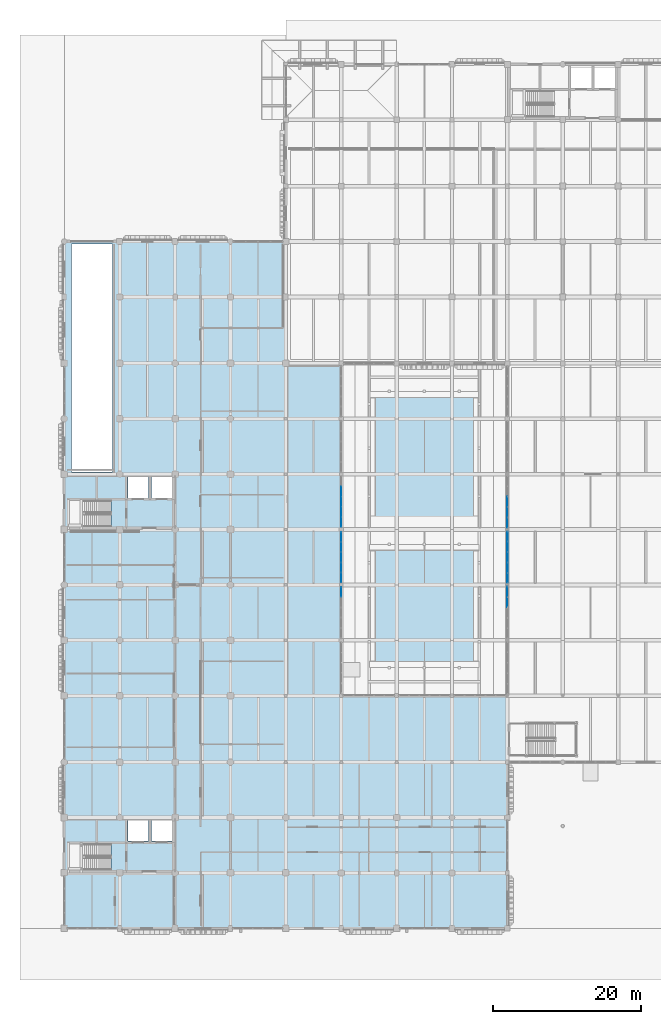
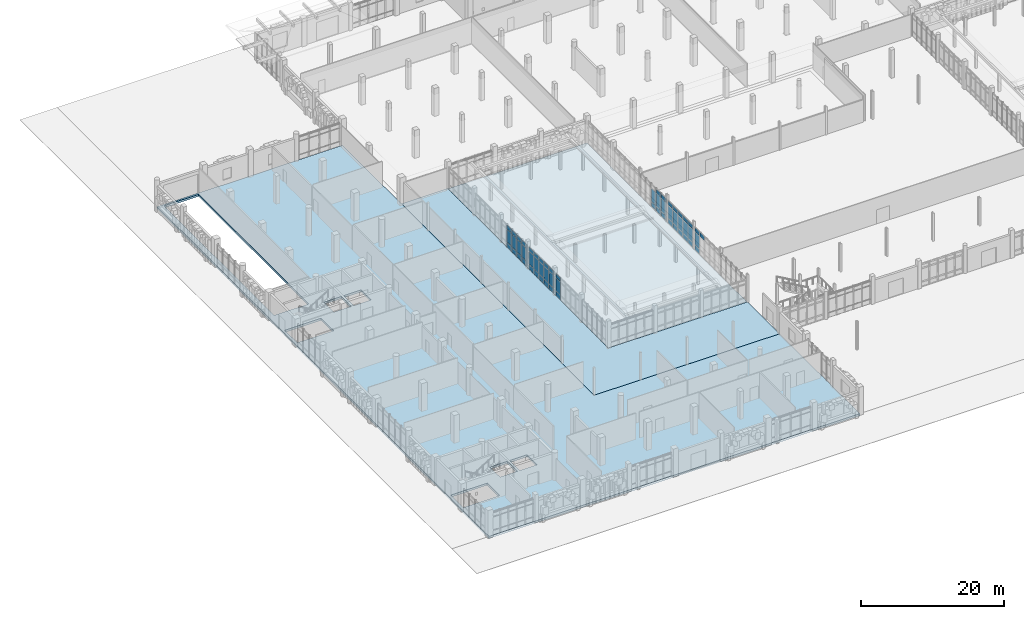
# One storey, part 73 of 125: 57 plates, 3 slabs, 6 elements without a shape of their own.
"""IFC4 building model written with IfcOpenShell, lengths in metres."""

from ifc_helpers import new_model, si_unit, direction, frame, origin, origin_2d, place, context, subcontext, project, spatial, polyline, rectangle, outline, extrude, material, layer, layer_set, type_object, element, aggregate, save


model = new_model("IFC4")

# Units and contexts
model_context = context("Model", 3, precision=1e-05, world=origin(), true_north=direction((0.0, 1.0)))
body_context = subcontext(model_context, "Body", "Model", "MODEL_VIEW")
ifc_project = project(units=[si_unit("LENGTHUNIT", "METRE"), si_unit("AREAUNIT", "SQUARE_METRE"), si_unit("VOLUMEUNIT", "CUBIC_METRE"), si_unit("PLANEANGLEUNIT", "RADIAN"), si_unit("MASSUNIT", "GRAM", prefix="KILO")], contexts=[model_context])

# Site, building, storey
site_placement = place(None, origin())
site = spatial("IfcSite", under=ifc_project, at=site_placement, CompositionType="ELEMENT")
building_placement = place(site_placement, origin())
building = spatial("IfcBuilding", under=site, at=building_placement, Name="Dalvernix Boulevard General Hospital", CompositionType="ELEMENT")
storey_placement = place(building_placement, origin())
storey = spatial("IfcBuildingStorey", under=building, at=storey_placement, Name="L00", CompositionType="ELEMENT", Elevation=0.0)

# Curtain wall, plates
ifc_material_1 = material(Name="Thermally broken aluminium and solar-control glass curtain wall", Category="aluminium")
ifc_layer_1 = layer(ifc_material_1, 0.159912109375)
ifc_layer_set_1 = layer_set([ifc_layer_1], Name="Thermally broken aluminium and solar-control glass curtain wall (CW-CW-A-70x39)")
curtain_wall_type_1 = type_object("IfcCurtainWallType", Name="CW-CW-A-70x39", PredefinedType="USERDEFINED", material=ifc_layer_set_1)
curtain_wall_1_placement = place(storey_placement, origin())
curtain_wall_1 = element("IfcCurtainWall", 1, at=curtain_wall_1_placement, inside=storey, type_object=curtain_wall_type_1, Name="L00 curtain wall CW-A-70x39 5-7", ObjectType="GLAZED FACADE", PredefinedType="USERDEFINED")
ifc_material_2 = material(Name="Double-glazed solar-control low-emissivity glass", Category="glass")
ifc_layer_2 = layer(ifc_material_2, 0.02392578125)
ifc_layer_set_2 = layer_set([ifc_layer_2], Name="Double-glazed solar-control low-emissivity glass (PLT-CW-P1)")
plate_type_1 = type_object("IfcPlateType", Name="PLT-CW-P1", PredefinedType="CURTAIN_PANEL", material=ifc_layer_set_2)
plate_1_placement = place(storey_placement, frame((37.5, 59.153564453125, 0.06005859375), z_axis=(0.0, 0.0, 1.0), x_axis=(0.0, -1.0, 0.0)))
plate_1 = element("IfcPlate", 2, at=plate_1_placement, type_object=plate_type_1, Name="CW-A-70x39 panel 2.1", PredefinedType="CURTAIN_PANEL", context=body_context, shape_type="SweptSolid", body=[
    extrude(rectangle(XDim=1.3310546875, YDim=0.02392578125, at=origin_2d()), origin(), (0.0, 0.0, 1.0), 0.81005859375),
])
plate_2_placement = place(storey_placement, frame((37.5, 59.153564453125, 0.929931640625), z_axis=(0.0, 0.0, 1.0), x_axis=(0.0, -1.0, 0.0)))
plate_2 = element("IfcPlate", 3, at=plate_2_placement, type_object=plate_type_1, Name="CW-A-70x39 panel 2.2", PredefinedType="CURTAIN_PANEL", context=body_context, shape_type="SweptSolid", body=[
    extrude(rectangle(XDim=1.3310546875, YDim=0.02392578125, at=origin_2d()), origin(), (0.0, 0.0, 1.0), 2.18994140625),
])
plate_3_placement = place(storey_placement, frame((37.5, 59.153564453125, 3.18017578125), z_axis=(0.0, 0.0, 1.0), x_axis=(0.0, -1.0, 0.0)))
plate_3 = element("IfcPlate", 4, at=plate_3_placement, type_object=plate_type_1, Name="CW-A-70x39 panel 2.3", PredefinedType="CURTAIN_PANEL", context=body_context, shape_type="SweptSolid", body=[
    extrude(rectangle(XDim=1.3310546875, YDim=0.02392578125, at=origin_2d()), origin(), (0.0, 0.0, 1.0), 0.659912109375),
])
plate_4_placement = place(storey_placement, frame((37.5, 57.762451171875, 0.06005859375), z_axis=(0.0, 0.0, 1.0), x_axis=(0.0, -1.0, 0.0)))
plate_4 = element("IfcPlate", 5, at=plate_4_placement, type_object=plate_type_1, Name="CW-A-70x39 panel 3.1", PredefinedType="CURTAIN_PANEL", context=body_context, shape_type="SweptSolid", body=[
    extrude(rectangle(XDim=1.3310546875, YDim=0.02392578125, at=origin_2d()), origin(), (0.0, 0.0, 1.0), 0.81005859375),
])
plate_5_placement = place(storey_placement, frame((37.5, 57.762451171875, 0.929931640625), z_axis=(0.0, 0.0, 1.0), x_axis=(0.0, -1.0, 0.0)))
plate_5 = element("IfcPlate", 6, at=plate_5_placement, type_object=plate_type_1, Name="CW-A-70x39 panel 3.2", PredefinedType="CURTAIN_PANEL", context=body_context, shape_type="SweptSolid", body=[
    extrude(rectangle(XDim=1.3310546875, YDim=0.02392578125, at=origin_2d()), origin(), (0.0, 0.0, 1.0), 2.18994140625),
])
plate_6_placement = place(storey_placement, frame((37.5, 57.762451171875, 3.18017578125), z_axis=(0.0, 0.0, 1.0), x_axis=(0.0, -1.0, 0.0)))
plate_6 = element("IfcPlate", 7, at=plate_6_placement, type_object=plate_type_1, Name="CW-A-70x39 panel 3.3", PredefinedType="CURTAIN_PANEL", context=body_context, shape_type="SweptSolid", body=[
    extrude(rectangle(XDim=1.3310546875, YDim=0.02392578125, at=origin_2d()), origin(), (0.0, 0.0, 1.0), 0.659912109375),
])
plate_7_placement = place(storey_placement, frame((37.5, 56.37158203125, 0.06005859375), z_axis=(0.0, 0.0, 1.0), x_axis=(0.0, -1.0, 0.0)))
plate_7 = element("IfcPlate", 8, at=plate_7_placement, type_object=plate_type_1, Name="CW-A-70x39 panel 4.1", PredefinedType="CURTAIN_PANEL", context=body_context, shape_type="SweptSolid", body=[
    extrude(rectangle(XDim=1.3310546875, YDim=0.02392578125, at=origin_2d()), origin(), (0.0, 0.0, 1.0), 0.81005859375),
])
plate_8_placement = place(storey_placement, frame((37.5, 56.37158203125, 0.929931640625), z_axis=(0.0, 0.0, 1.0), x_axis=(0.0, -1.0, 0.0)))
plate_8 = element("IfcPlate", 9, at=plate_8_placement, type_object=plate_type_1, Name="CW-A-70x39 panel 4.2", PredefinedType="CURTAIN_PANEL", context=body_context, shape_type="SweptSolid", body=[
    extrude(rectangle(XDim=1.3310546875, YDim=0.02392578125, at=origin_2d()), origin(), (0.0, 0.0, 1.0), 2.18994140625),
])
plate_9_placement = place(storey_placement, frame((37.5, 56.37158203125, 3.18017578125), z_axis=(0.0, 0.0, 1.0), x_axis=(0.0, -1.0, 0.0)))
plate_9 = element("IfcPlate", 10, at=plate_9_placement, type_object=plate_type_1, Name="CW-A-70x39 panel 4.3", PredefinedType="CURTAIN_PANEL", context=body_context, shape_type="SweptSolid", body=[
    extrude(rectangle(XDim=1.3310546875, YDim=0.02392578125, at=origin_2d()), origin(), (0.0, 0.0, 1.0), 0.659912109375),
])
plate_10_placement = place(storey_placement, frame((37.5, 54.99560546875, 0.06005859375), z_axis=(0.0, 0.0, 1.0), x_axis=(0.0, -1.0, 0.0)))
plate_10 = element("IfcPlate", 11, at=plate_10_placement, type_object=plate_type_1, Name="CW-A-70x39 panel 5.1", PredefinedType="CURTAIN_PANEL", context=body_context, shape_type="SweptSolid", body=[
    extrude(rectangle(XDim=1.301025390625, YDim=0.02392578125, at=origin_2d()), origin(), (0.0, 0.0, 1.0), 0.81005859375),
])
plate_11_placement = place(storey_placement, frame((37.5, 54.99560546875, 0.929931640625), z_axis=(0.0, 0.0, 1.0), x_axis=(0.0, -1.0, 0.0)))
plate_11 = element("IfcPlate", 12, at=plate_11_placement, type_object=plate_type_1, Name="CW-A-70x39 panel 5.2", PredefinedType="CURTAIN_PANEL", context=body_context, shape_type="SweptSolid", body=[
    extrude(rectangle(XDim=1.301025390625, YDim=0.02392578125, at=origin_2d()), origin(), (0.0, 0.0, 1.0), 2.18994140625),
])
plate_12_placement = place(storey_placement, frame((37.5, 54.99560546875, 3.18017578125), z_axis=(0.0, 0.0, 1.0), x_axis=(0.0, -1.0, 0.0)))
plate_12 = element("IfcPlate", 13, at=plate_12_placement, type_object=plate_type_1, Name="CW-A-70x39 panel 5.3", PredefinedType="CURTAIN_PANEL", context=body_context, shape_type="SweptSolid", body=[
    extrude(rectangle(XDim=1.301025390625, YDim=0.02392578125, at=origin_2d()), origin(), (0.0, 0.0, 1.0), 0.659912109375),
])
aggregate(curtain_wall_1, [plate_1, plate_2, plate_3, plate_4, plate_5, plate_6, plate_7, plate_8, plate_9, plate_10, plate_11, plate_12])

ifc_layer_3 = layer(ifc_material_1, 0.159912109375)
ifc_layer_set_3 = layer_set([ifc_layer_3], Name="Thermally broken aluminium and solar-control glass curtain wall (CW-CW-A-71x39)")
curtain_wall_type_2 = type_object("IfcCurtainWallType", Name="CW-CW-A-71x39", PredefinedType="USERDEFINED", material=ifc_layer_set_3)
curtain_wall_2_placement = place(storey_placement, origin())
curtain_wall_2 = element("IfcCurtainWall", 14, at=curtain_wall_2_placement, inside=storey, type_object=curtain_wall_type_2, Name="L00 curtain wall CW-A-71x39 8-7", ObjectType="GLAZED FACADE", PredefinedType="USERDEFINED")
plate_13_placement = place(storey_placement, frame((60.0, 54.93310546875, 0.06005859375), z_axis=(0.0, 0.0, 1.0), x_axis=(0.0, 1.0, 0.0)))
plate_13 = element("IfcPlate", 15, at=plate_13_placement, type_object=plate_type_1, Name="CW-A-71x39 panel 1.1", PredefinedType="CURTAIN_PANEL", context=body_context, shape_type="SweptSolid", body=[
    extrude(rectangle(XDim=1.325927734375, YDim=0.02392578125, at=origin_2d()), origin(), (0.0, 0.0, 1.0), 0.81005859375),
])
plate_14_placement = place(storey_placement, frame((60.0, 54.93310546875, 0.929931640625), z_axis=(0.0, 0.0, 1.0), x_axis=(0.0, 1.0, 0.0)))
plate_14 = element("IfcPlate", 16, at=plate_14_placement, type_object=plate_type_1, Name="CW-A-71x39 panel 1.2", PredefinedType="CURTAIN_PANEL", context=body_context, shape_type="SweptSolid", body=[
    extrude(rectangle(XDim=1.325927734375, YDim=0.02392578125, at=origin_2d()), origin(), (0.0, 0.0, 1.0), 2.18994140625),
])
plate_15_placement = place(storey_placement, frame((60.0, 54.93310546875, 3.18017578125), z_axis=(0.0, 0.0, 1.0), x_axis=(0.0, 1.0, 0.0)))
plate_15 = element("IfcPlate", 17, at=plate_15_placement, type_object=plate_type_1, Name="CW-A-71x39 panel 1.3", PredefinedType="CURTAIN_PANEL", context=body_context, shape_type="SweptSolid", body=[
    extrude(rectangle(XDim=1.325927734375, YDim=0.02392578125, at=origin_2d()), origin(), (0.0, 0.0, 1.0), 0.659912109375),
])
plate_16_placement = place(storey_placement, frame((60.0, 56.333984375, 0.06005859375), z_axis=(0.0, 0.0, 1.0), x_axis=(0.0, 1.0, 0.0)))
plate_16 = element("IfcPlate", 18, at=plate_16_placement, type_object=plate_type_1, Name="CW-A-71x39 panel 2.1", PredefinedType="CURTAIN_PANEL", context=body_context, shape_type="SweptSolid", body=[
    extrude(rectangle(XDim=1.35595703125, YDim=0.02392578125, at=origin_2d()), origin(), (0.0, 0.0, 1.0), 0.81005859375),
])
plate_17_placement = place(storey_placement, frame((60.0, 56.333984375, 0.929931640625), z_axis=(0.0, 0.0, 1.0), x_axis=(0.0, 1.0, 0.0)))
plate_17 = element("IfcPlate", 19, at=plate_17_placement, type_object=plate_type_1, Name="CW-A-71x39 panel 2.2", PredefinedType="CURTAIN_PANEL", context=body_context, shape_type="SweptSolid", body=[
    extrude(rectangle(XDim=1.35595703125, YDim=0.02392578125, at=origin_2d()), origin(), (0.0, 0.0, 1.0), 2.18994140625),
])
plate_18_placement = place(storey_placement, frame((60.0, 56.333984375, 3.18017578125), z_axis=(0.0, 0.0, 1.0), x_axis=(0.0, 1.0, 0.0)))
plate_18 = element("IfcPlate", 20, at=plate_18_placement, type_object=plate_type_1, Name="CW-A-71x39 panel 2.3", PredefinedType="CURTAIN_PANEL", context=body_context, shape_type="SweptSolid", body=[
    extrude(rectangle(XDim=1.35595703125, YDim=0.02392578125, at=origin_2d()), origin(), (0.0, 0.0, 1.0), 0.659912109375),
])
plate_19_placement = place(storey_placement, frame((60.0, 57.75, 0.06005859375), z_axis=(0.0, 0.0, 1.0), x_axis=(0.0, 1.0, 0.0)))
plate_19 = element("IfcPlate", 21, at=plate_19_placement, type_object=plate_type_1, Name="CW-A-71x39 panel 3.1", PredefinedType="CURTAIN_PANEL", context=body_context, shape_type="SweptSolid", body=[
    extrude(rectangle(XDim=1.35595703125, YDim=0.02392578125, at=origin_2d()), origin(), (0.0, 0.0, 1.0), 0.81005859375),
])
plate_20_placement = place(storey_placement, frame((60.0, 57.75, 0.929931640625), z_axis=(0.0, 0.0, 1.0), x_axis=(0.0, 1.0, 0.0)))
plate_20 = element("IfcPlate", 22, at=plate_20_placement, type_object=plate_type_1, Name="CW-A-71x39 panel 3.2", PredefinedType="CURTAIN_PANEL", context=body_context, shape_type="SweptSolid", body=[
    extrude(rectangle(XDim=1.35595703125, YDim=0.02392578125, at=origin_2d()), origin(), (0.0, 0.0, 1.0), 2.18994140625),
])
aggregate(curtain_wall_2, [plate_13, plate_14, plate_15, plate_16, plate_17, plate_18, plate_19, plate_20])

ifc_layer_4 = layer(ifc_material_1, 0.179931640625)
ifc_layer_set_4 = layer_set([ifc_layer_4], Name="Thermally broken aluminium and solar-control glass curtain wall (CW-CW-B-70x39)")
curtain_wall_type_3 = type_object("IfcCurtainWallType", Name="CW-CW-B-70x39", PredefinedType="USERDEFINED", material=ifc_layer_set_4)
curtain_wall_3_placement = place(storey_placement, origin())
curtain_wall_3 = element("IfcCurtainWall", 23, at=curtain_wall_3_placement, inside=storey, type_object=curtain_wall_type_3, Name="L00 curtain wall CW-B-70x39 5-5", ObjectType="GLAZED FACADE", PredefinedType="USERDEFINED")
ifc_layer_5 = layer(ifc_material_2, 0.028076171875)
ifc_layer_set_5 = layer_set([ifc_layer_5], Name="Double-glazed solar-control low-emissivity glass (PLT-CW-P2)")
plate_type_2 = type_object("IfcPlateType", Name="PLT-CW-P2", PredefinedType="CURTAIN_PANEL", material=ifc_layer_set_5)
plate_21_placement = place(storey_placement, frame((37.5, 45.5283203125, 0.06494140625), z_axis=(0.0, 0.0, 1.0), x_axis=(0.0, -1.0, 0.0)))
plate_21 = element("IfcPlate", 24, at=plate_21_placement, type_object=plate_type_2, Name="CW-B-70x39 panel 1.1", PredefinedType="CURTAIN_PANEL", context=body_context, shape_type="SweptSolid", body=[
    extrude(rectangle(XDim=1.29345703125, YDim=0.028076171875, at=origin_2d()), origin(), (0.0, 0.0, 1.0), 0.802490234375),
])
plate_22_placement = place(storey_placement, frame((37.5, 45.5283203125, 0.932373046875), z_axis=(0.0, 0.0, 1.0), x_axis=(0.0, -1.0, 0.0)))
plate_22 = element("IfcPlate", 25, at=plate_22_placement, type_object=plate_type_2, Name="CW-B-70x39 panel 1.2", PredefinedType="CURTAIN_PANEL", context=body_context, shape_type="SweptSolid", body=[
    extrude(rectangle(XDim=1.29345703125, YDim=0.028076171875, at=origin_2d()), origin(), (0.0, 0.0, 1.0), 2.18505859375),
])
plate_23_placement = place(storey_placement, frame((37.5, 45.5283203125, 3.1826171875), z_axis=(0.0, 0.0, 1.0), x_axis=(0.0, -1.0, 0.0)))
plate_23 = element("IfcPlate", 26, at=plate_23_placement, type_object=plate_type_2, Name="CW-B-70x39 panel 1.3", PredefinedType="CURTAIN_PANEL", context=body_context, shape_type="SweptSolid", body=[
    extrude(rectangle(XDim=1.29345703125, YDim=0.028076171875, at=origin_2d()), origin(), (0.0, 0.0, 1.0), 0.652587890625),
])
aggregate(curtain_wall_3, [plate_21, plate_22, plate_23])

ifc_layer_6 = layer(ifc_material_1, 0.179931640625)
ifc_layer_set_6 = layer_set([ifc_layer_6], Name="Thermally broken aluminium and solar-control glass curtain wall (CW-CW-B-71x39)")
curtain_wall_type_4 = type_object("IfcCurtainWallType", Name="CW-CW-B-71x39", PredefinedType="USERDEFINED", material=ifc_layer_set_6)
curtain_wall_4_placement = place(storey_placement, origin())
curtain_wall_4 = element("IfcCurtainWall", 27, at=curtain_wall_4_placement, inside=storey, type_object=curtain_wall_type_4, Name="L00 curtain wall CW-B-71x39 8-5", ObjectType="GLAZED FACADE", PredefinedType="USERDEFINED")
plate_24_placement = place(storey_placement, frame((60.0, 44.166015625, 3.1826171875), z_axis=(0.0, 0.0, 1.0), x_axis=(0.0, 1.0, 0.0)))
plate_24 = element("IfcPlate", 28, at=plate_24_placement, type_object=plate_type_2, Name="CW-B-71x39 panel 4.3", PredefinedType="CURTAIN_PANEL", context=body_context, shape_type="SweptSolid", body=[
    extrude(rectangle(XDim=1.35107421875, YDim=0.028076171875, at=origin_2d()), origin(), (0.0, 0.0, 1.0), 0.652587890625),
])
plate_25_placement = place(storey_placement, frame((60.0, 45.565673828125, 0.06494140625), z_axis=(0.0, 0.0, 1.0), x_axis=(0.0, 1.0, 0.0)))
plate_25 = element("IfcPlate", 29, at=plate_25_placement, type_object=plate_type_2, Name="CW-B-71x39 panel 5.1", PredefinedType="CURTAIN_PANEL", context=body_context, shape_type="SweptSolid", body=[
    extrude(rectangle(XDim=1.318603515625, YDim=0.028076171875, at=origin_2d()), origin(), (0.0, 0.0, 1.0), 0.802490234375),
])
plate_26_placement = place(storey_placement, frame((60.0, 45.565673828125, 0.932373046875), z_axis=(0.0, 0.0, 1.0), x_axis=(0.0, 1.0, 0.0)))
plate_26 = element("IfcPlate", 30, at=plate_26_placement, type_object=plate_type_2, Name="CW-B-71x39 panel 5.2", PredefinedType="CURTAIN_PANEL", context=body_context, shape_type="SweptSolid", body=[
    extrude(rectangle(XDim=1.318603515625, YDim=0.028076171875, at=origin_2d()), origin(), (0.0, 0.0, 1.0), 2.18505859375),
])
plate_27_placement = place(storey_placement, frame((60.0, 45.565673828125, 3.1826171875), z_axis=(0.0, 0.0, 1.0), x_axis=(0.0, 1.0, 0.0)))
plate_27 = element("IfcPlate", 31, at=plate_27_placement, type_object=plate_type_2, Name="CW-B-71x39 panel 5.3", PredefinedType="CURTAIN_PANEL", context=body_context, shape_type="SweptSolid", body=[
    extrude(rectangle(XDim=1.318603515625, YDim=0.028076171875, at=origin_2d()), origin(), (0.0, 0.0, 1.0), 0.652587890625),
])
aggregate(curtain_wall_4, [plate_24, plate_25, plate_26, plate_27])

ifc_layer_7 = layer(ifc_material_1, 0.199951171875)
ifc_layer_set_7 = layer_set([ifc_layer_7], Name="Thermally broken aluminium and solar-control glass curtain wall (CW-CW-C-70x39)")
curtain_wall_type_5 = type_object("IfcCurtainWallType", Name="CW-CW-C-70x39", PredefinedType="USERDEFINED", material=ifc_layer_set_7)
curtain_wall_5_placement = place(storey_placement, origin())
curtain_wall_5 = element("IfcCurtainWall", 32, at=curtain_wall_5_placement, inside=storey, type_object=curtain_wall_type_5, Name="L00 curtain wall CW-C-70x39 5-6", ObjectType="GLAZED FACADE", PredefinedType="USERDEFINED")
ifc_layer_8 = layer(ifc_material_2, 0.035888671875)
ifc_layer_set_8 = layer_set([ifc_layer_8], Name="Double-glazed solar-control low-emissivity glass (PLT-CW-P3)")
plate_type_3 = type_object("IfcPlateType", Name="PLT-CW-P3", PredefinedType="CURTAIN_PANEL", material=ifc_layer_set_8)
plate_28_placement = place(storey_placement, frame((37.5, 53.001953125, 0.070068359375), z_axis=(0.0, 0.0, 1.0), x_axis=(0.0, -1.0, 0.0)))
plate_28 = element("IfcPlate", 33, at=plate_28_placement, type_object=plate_type_3, Name="CW-C-70x39 panel 1.1", PredefinedType="CURTAIN_PANEL", context=body_context, shape_type="SweptSolid", body=[
    extrude(rectangle(XDim=1.285888671875, YDim=0.035888671875, at=origin_2d()), origin(), (0.0, 0.0, 1.0), 0.794921875),
])
plate_29_placement = place(storey_placement, frame((37.5, 53.001953125, 0.93505859375), z_axis=(0.0, 0.0, 1.0), x_axis=(0.0, -1.0, 0.0)))
plate_29 = element("IfcPlate", 34, at=plate_29_placement, type_object=plate_type_3, Name="CW-C-70x39 panel 1.2", PredefinedType="CURTAIN_PANEL", context=body_context, shape_type="SweptSolid", body=[
    extrude(rectangle(XDim=1.285888671875, YDim=0.035888671875, at=origin_2d()), origin(), (0.0, 0.0, 1.0), 2.179931640625),
])
plate_30_placement = place(storey_placement, frame((37.5, 53.001953125, 3.18505859375), z_axis=(0.0, 0.0, 1.0), x_axis=(0.0, -1.0, 0.0)))
plate_30 = element("IfcPlate", 35, at=plate_30_placement, type_object=plate_type_3, Name="CW-C-70x39 panel 1.3", PredefinedType="CURTAIN_PANEL", context=body_context, shape_type="SweptSolid", body=[
    extrude(rectangle(XDim=1.285888671875, YDim=0.035888671875, at=origin_2d()), origin(), (0.0, 0.0, 1.0), 0.64501953125),
])
plate_31_placement = place(storey_placement, frame((37.5, 51.62841796875, 0.070068359375), z_axis=(0.0, 0.0, 1.0), x_axis=(0.0, -1.0, 0.0)))
plate_31 = element("IfcPlate", 36, at=plate_31_placement, type_object=plate_type_3, Name="CW-C-70x39 panel 2.1", PredefinedType="CURTAIN_PANEL", context=body_context, shape_type="SweptSolid", body=[
    extrude(rectangle(XDim=1.321044921875, YDim=0.035888671875, at=origin_2d()), origin(), (0.0, 0.0, 1.0), 0.794921875),
])
plate_32_placement = place(storey_placement, frame((37.5, 51.62841796875, 0.93505859375), z_axis=(0.0, 0.0, 1.0), x_axis=(0.0, -1.0, 0.0)))
plate_32 = element("IfcPlate", 37, at=plate_32_placement, type_object=plate_type_3, Name="CW-C-70x39 panel 2.2", PredefinedType="CURTAIN_PANEL", context=body_context, shape_type="SweptSolid", body=[
    extrude(rectangle(XDim=1.321044921875, YDim=0.035888671875, at=origin_2d()), origin(), (0.0, 0.0, 1.0), 2.179931640625),
])
plate_33_placement = place(storey_placement, frame((37.5, 51.62841796875, 3.18505859375), z_axis=(0.0, 0.0, 1.0), x_axis=(0.0, -1.0, 0.0)))
plate_33 = element("IfcPlate", 38, at=plate_33_placement, type_object=plate_type_3, Name="CW-C-70x39 panel 2.3", PredefinedType="CURTAIN_PANEL", context=body_context, shape_type="SweptSolid", body=[
    extrude(rectangle(XDim=1.321044921875, YDim=0.035888671875, at=origin_2d()), origin(), (0.0, 0.0, 1.0), 0.64501953125),
])
plate_34_placement = place(storey_placement, frame((37.5, 50.237548828125, 0.070068359375), z_axis=(0.0, 0.0, 1.0), x_axis=(0.0, -1.0, 0.0)))
plate_34 = element("IfcPlate", 39, at=plate_34_placement, type_object=plate_type_3, Name="CW-C-70x39 panel 3.1", PredefinedType="CURTAIN_PANEL", context=body_context, shape_type="SweptSolid", body=[
    extrude(rectangle(XDim=1.321044921875, YDim=0.035888671875, at=origin_2d()), origin(), (0.0, 0.0, 1.0), 0.794921875),
])
plate_35_placement = place(storey_placement, frame((37.5, 50.237548828125, 0.93505859375), z_axis=(0.0, 0.0, 1.0), x_axis=(0.0, -1.0, 0.0)))
plate_35 = element("IfcPlate", 40, at=plate_35_placement, type_object=plate_type_3, Name="CW-C-70x39 panel 3.2", PredefinedType="CURTAIN_PANEL", context=body_context, shape_type="SweptSolid", body=[
    extrude(rectangle(XDim=1.321044921875, YDim=0.035888671875, at=origin_2d()), origin(), (0.0, 0.0, 1.0), 2.179931640625),
])
plate_36_placement = place(storey_placement, frame((37.5, 50.237548828125, 3.18505859375), z_axis=(0.0, 0.0, 1.0), x_axis=(0.0, -1.0, 0.0)))
plate_36 = element("IfcPlate", 41, at=plate_36_placement, type_object=plate_type_3, Name="CW-C-70x39 panel 3.3", PredefinedType="CURTAIN_PANEL", context=body_context, shape_type="SweptSolid", body=[
    extrude(rectangle(XDim=1.321044921875, YDim=0.035888671875, at=origin_2d()), origin(), (0.0, 0.0, 1.0), 0.64501953125),
])
plate_37_placement = place(storey_placement, frame((37.5, 48.846435546875, 0.070068359375), z_axis=(0.0, 0.0, 1.0), x_axis=(0.0, -1.0, 0.0)))
plate_37 = element("IfcPlate", 42, at=plate_37_placement, type_object=plate_type_3, Name="CW-C-70x39 panel 4.1", PredefinedType="CURTAIN_PANEL", context=body_context, shape_type="SweptSolid", body=[
    extrude(rectangle(XDim=1.321044921875, YDim=0.035888671875, at=origin_2d()), origin(), (0.0, 0.0, 1.0), 0.794921875),
])
plate_38_placement = place(storey_placement, frame((37.5, 48.846435546875, 0.93505859375), z_axis=(0.0, 0.0, 1.0), x_axis=(0.0, -1.0, 0.0)))
plate_38 = element("IfcPlate", 43, at=plate_38_placement, type_object=plate_type_3, Name="CW-C-70x39 panel 4.2", PredefinedType="CURTAIN_PANEL", context=body_context, shape_type="SweptSolid", body=[
    extrude(rectangle(XDim=1.321044921875, YDim=0.035888671875, at=origin_2d()), origin(), (0.0, 0.0, 1.0), 2.179931640625),
])
plate_39_placement = place(storey_placement, frame((37.5, 48.846435546875, 3.18505859375), z_axis=(0.0, 0.0, 1.0), x_axis=(0.0, -1.0, 0.0)))
plate_39 = element("IfcPlate", 44, at=plate_39_placement, type_object=plate_type_3, Name="CW-C-70x39 panel 4.3", PredefinedType="CURTAIN_PANEL", context=body_context, shape_type="SweptSolid", body=[
    extrude(rectangle(XDim=1.321044921875, YDim=0.035888671875, at=origin_2d()), origin(), (0.0, 0.0, 1.0), 0.64501953125),
])
plate_40_placement = place(storey_placement, frame((37.5, 47.472900390625, 0.070068359375), z_axis=(0.0, 0.0, 1.0), x_axis=(0.0, -1.0, 0.0)))
plate_40 = element("IfcPlate", 45, at=plate_40_placement, type_object=plate_type_3, Name="CW-C-70x39 panel 5.1", PredefinedType="CURTAIN_PANEL", context=body_context, shape_type="SweptSolid", body=[
    extrude(rectangle(XDim=1.285888671875, YDim=0.035888671875, at=origin_2d()), origin(), (0.0, 0.0, 1.0), 0.794921875),
])
plate_41_placement = place(storey_placement, frame((37.5, 47.472900390625, 0.93505859375), z_axis=(0.0, 0.0, 1.0), x_axis=(0.0, -1.0, 0.0)))
plate_41 = element("IfcPlate", 46, at=plate_41_placement, type_object=plate_type_3, Name="CW-C-70x39 panel 5.2", PredefinedType="CURTAIN_PANEL", context=body_context, shape_type="SweptSolid", body=[
    extrude(rectangle(XDim=1.285888671875, YDim=0.035888671875, at=origin_2d()), origin(), (0.0, 0.0, 1.0), 2.179931640625),
])
plate_42_placement = place(storey_placement, frame((37.5, 47.472900390625, 3.18505859375), z_axis=(0.0, 0.0, 1.0), x_axis=(0.0, -1.0, 0.0)))
plate_42 = element("IfcPlate", 47, at=plate_42_placement, type_object=plate_type_3, Name="CW-C-70x39 panel 5.3", PredefinedType="CURTAIN_PANEL", context=body_context, shape_type="SweptSolid", body=[
    extrude(rectangle(XDim=1.285888671875, YDim=0.035888671875, at=origin_2d()), origin(), (0.0, 0.0, 1.0), 0.64501953125),
])
aggregate(curtain_wall_5, [plate_28, plate_29, plate_30, plate_31, plate_32, plate_33, plate_34, plate_35, plate_36, plate_37, plate_38, plate_39, plate_40, plate_41, plate_42])

ifc_layer_9 = layer(ifc_material_1, 0.199951171875)
ifc_layer_set_9 = layer_set([ifc_layer_9], Name="Thermally broken aluminium and solar-control glass curtain wall (CW-CW-C-71x39)")
curtain_wall_type_6 = type_object("IfcCurtainWallType", Name="CW-CW-C-71x39", PredefinedType="USERDEFINED", material=ifc_layer_set_9)
curtain_wall_6_placement = place(storey_placement, origin())
curtain_wall_6 = element("IfcCurtainWall", 48, at=curtain_wall_6_placement, inside=storey, type_object=curtain_wall_type_6, Name="L00 curtain wall CW-C-71x39 8-6", ObjectType="GLAZED FACADE", PredefinedType="USERDEFINED")
plate_43_placement = place(storey_placement, frame((60.0, 47.435546875, 0.070068359375), z_axis=(0.0, 0.0, 1.0), x_axis=(0.0, 1.0, 0.0)))
plate_43 = element("IfcPlate", 49, at=plate_43_placement, type_object=plate_type_3, Name="CW-C-71x39 panel 1.1", PredefinedType="CURTAIN_PANEL", context=body_context, shape_type="SweptSolid", body=[
    extrude(rectangle(XDim=1.31103515625, YDim=0.035888671875, at=origin_2d()), origin(), (0.0, 0.0, 1.0), 0.794921875),
])
plate_44_placement = place(storey_placement, frame((60.0, 47.435546875, 0.93505859375), z_axis=(0.0, 0.0, 1.0), x_axis=(0.0, 1.0, 0.0)))
plate_44 = element("IfcPlate", 50, at=plate_44_placement, type_object=plate_type_3, Name="CW-C-71x39 panel 1.2", PredefinedType="CURTAIN_PANEL", context=body_context, shape_type="SweptSolid", body=[
    extrude(rectangle(XDim=1.31103515625, YDim=0.035888671875, at=origin_2d()), origin(), (0.0, 0.0, 1.0), 2.179931640625),
])
plate_45_placement = place(storey_placement, frame((60.0, 47.435546875, 3.18505859375), z_axis=(0.0, 0.0, 1.0), x_axis=(0.0, 1.0, 0.0)))
plate_45 = element("IfcPlate", 51, at=plate_45_placement, type_object=plate_type_3, Name="CW-C-71x39 panel 1.3", PredefinedType="CURTAIN_PANEL", context=body_context, shape_type="SweptSolid", body=[
    extrude(rectangle(XDim=1.31103515625, YDim=0.035888671875, at=origin_2d()), origin(), (0.0, 0.0, 1.0), 0.64501953125),
])
plate_46_placement = place(storey_placement, frame((60.0, 48.833984375, 0.070068359375), z_axis=(0.0, 0.0, 1.0), x_axis=(0.0, 1.0, 0.0)))
plate_46 = element("IfcPlate", 52, at=plate_46_placement, type_object=plate_type_3, Name="CW-C-71x39 panel 2.1", PredefinedType="CURTAIN_PANEL", context=body_context, shape_type="SweptSolid", body=[
    extrude(rectangle(XDim=1.345947265625, YDim=0.035888671875, at=origin_2d()), origin(), (0.0, 0.0, 1.0), 0.794921875),
])
plate_47_placement = place(storey_placement, frame((60.0, 48.833984375, 0.93505859375), z_axis=(0.0, 0.0, 1.0), x_axis=(0.0, 1.0, 0.0)))
plate_47 = element("IfcPlate", 53, at=plate_47_placement, type_object=plate_type_3, Name="CW-C-71x39 panel 2.2", PredefinedType="CURTAIN_PANEL", context=body_context, shape_type="SweptSolid", body=[
    extrude(rectangle(XDim=1.345947265625, YDim=0.035888671875, at=origin_2d()), origin(), (0.0, 0.0, 1.0), 2.179931640625),
])
plate_48_placement = place(storey_placement, frame((60.0, 48.833984375, 3.18505859375), z_axis=(0.0, 0.0, 1.0), x_axis=(0.0, 1.0, 0.0)))
plate_48 = element("IfcPlate", 54, at=plate_48_placement, type_object=plate_type_3, Name="CW-C-71x39 panel 2.3", PredefinedType="CURTAIN_PANEL", context=body_context, shape_type="SweptSolid", body=[
    extrude(rectangle(XDim=1.345947265625, YDim=0.035888671875, at=origin_2d()), origin(), (0.0, 0.0, 1.0), 0.64501953125),
])
plate_49_placement = place(storey_placement, frame((60.0, 50.25, 0.070068359375), z_axis=(0.0, 0.0, 1.0), x_axis=(0.0, 1.0, 0.0)))
plate_49 = element("IfcPlate", 55, at=plate_49_placement, type_object=plate_type_3, Name="CW-C-71x39 panel 3.1", PredefinedType="CURTAIN_PANEL", context=body_context, shape_type="SweptSolid", body=[
    extrude(rectangle(XDim=1.345947265625, YDim=0.035888671875, at=origin_2d()), origin(), (0.0, 0.0, 1.0), 0.794921875),
])
plate_50_placement = place(storey_placement, frame((60.0, 50.25, 0.93505859375), z_axis=(0.0, 0.0, 1.0), x_axis=(0.0, 1.0, 0.0)))
plate_50 = element("IfcPlate", 56, at=plate_50_placement, type_object=plate_type_3, Name="CW-C-71x39 panel 3.2", PredefinedType="CURTAIN_PANEL", context=body_context, shape_type="SweptSolid", body=[
    extrude(rectangle(XDim=1.345947265625, YDim=0.035888671875, at=origin_2d()), origin(), (0.0, 0.0, 1.0), 2.179931640625),
])
plate_51_placement = place(storey_placement, frame((60.0, 50.25, 3.18505859375), z_axis=(0.0, 0.0, 1.0), x_axis=(0.0, 1.0, 0.0)))
plate_51 = element("IfcPlate", 57, at=plate_51_placement, type_object=plate_type_3, Name="CW-C-71x39 panel 3.3", PredefinedType="CURTAIN_PANEL", context=body_context, shape_type="SweptSolid", body=[
    extrude(rectangle(XDim=1.345947265625, YDim=0.035888671875, at=origin_2d()), origin(), (0.0, 0.0, 1.0), 0.64501953125),
])
plate_52_placement = place(storey_placement, frame((60.0, 51.666015625, 0.070068359375), z_axis=(0.0, 0.0, 1.0), x_axis=(0.0, 1.0, 0.0)))
plate_52 = element("IfcPlate", 58, at=plate_52_placement, type_object=plate_type_3, Name="CW-C-71x39 panel 4.1", PredefinedType="CURTAIN_PANEL", context=body_context, shape_type="SweptSolid", body=[
    extrude(rectangle(XDim=1.345947265625, YDim=0.035888671875, at=origin_2d()), origin(), (0.0, 0.0, 1.0), 0.794921875),
])
plate_53_placement = place(storey_placement, frame((60.0, 51.666015625, 0.93505859375), z_axis=(0.0, 0.0, 1.0), x_axis=(0.0, 1.0, 0.0)))
plate_53 = element("IfcPlate", 59, at=plate_53_placement, type_object=plate_type_3, Name="CW-C-71x39 panel 4.2", PredefinedType="CURTAIN_PANEL", context=body_context, shape_type="SweptSolid", body=[
    extrude(rectangle(XDim=1.345947265625, YDim=0.035888671875, at=origin_2d()), origin(), (0.0, 0.0, 1.0), 2.179931640625),
])
plate_54_placement = place(storey_placement, frame((60.0, 51.666015625, 3.18505859375), z_axis=(0.0, 0.0, 1.0), x_axis=(0.0, 1.0, 0.0)))
plate_54 = element("IfcPlate", 60, at=plate_54_placement, type_object=plate_type_3, Name="CW-C-71x39 panel 4.3", PredefinedType="CURTAIN_PANEL", context=body_context, shape_type="SweptSolid", body=[
    extrude(rectangle(XDim=1.345947265625, YDim=0.035888671875, at=origin_2d()), origin(), (0.0, 0.0, 1.0), 0.64501953125),
])
plate_55_placement = place(storey_placement, frame((60.0, 53.064453125, 0.070068359375), z_axis=(0.0, 0.0, 1.0), x_axis=(0.0, 1.0, 0.0)))
plate_55 = element("IfcPlate", 61, at=plate_55_placement, type_object=plate_type_3, Name="CW-C-71x39 panel 5.1", PredefinedType="CURTAIN_PANEL", context=body_context, shape_type="SweptSolid", body=[
    extrude(rectangle(XDim=1.31103515625, YDim=0.035888671875, at=origin_2d()), origin(), (0.0, 0.0, 1.0), 0.794921875),
])
plate_56_placement = place(storey_placement, frame((60.0, 53.064453125, 0.93505859375), z_axis=(0.0, 0.0, 1.0), x_axis=(0.0, 1.0, 0.0)))
plate_56 = element("IfcPlate", 62, at=plate_56_placement, type_object=plate_type_3, Name="CW-C-71x39 panel 5.2", PredefinedType="CURTAIN_PANEL", context=body_context, shape_type="SweptSolid", body=[
    extrude(rectangle(XDim=1.31103515625, YDim=0.035888671875, at=origin_2d()), origin(), (0.0, 0.0, 1.0), 2.179931640625),
])
plate_57_placement = place(storey_placement, frame((60.0, 53.064453125, 3.18505859375), z_axis=(0.0, 0.0, 1.0), x_axis=(0.0, 1.0, 0.0)))
plate_57 = element("IfcPlate", 63, at=plate_57_placement, type_object=plate_type_3, Name="CW-C-71x39 panel 5.3", PredefinedType="CURTAIN_PANEL", context=body_context, shape_type="SweptSolid", body=[
    extrude(rectangle(XDim=1.31103515625, YDim=0.035888671875, at=origin_2d()), origin(), (0.0, 0.0, 1.0), 0.64501953125),
])
aggregate(curtain_wall_6, [plate_43, plate_44, plate_45, plate_46, plate_47, plate_48, plate_49, plate_50, plate_51, plate_52, plate_53, plate_54, plate_55, plate_56, plate_57])

# Slabs
ifc_material_3 = material(Name="Concrete C35/45", Category="concrete")
ifc_layer_10 = layer(ifc_material_3, 0.360107421875)
ifc_layer_set_10 = layer_set([ifc_layer_10], Name="Concrete C35/45 (SLB-FS-01)")
slab_type_1 = type_object("IfcSlabType", Name="SLB-FS-01", PredefinedType="FLOOR", material=ifc_layer_set_10)
slab_1_placement = place(storey_placement, frame((0.0, 0.0, -0.360107421875)))
element("IfcSlab", 64, at=slab_1_placement, inside=storey, type_object=slab_type_1, Name="L00 V4 structural floor slab 1", PredefinedType="FLOOR", context=body_context, shape_type="SweptSolid", body=[
    extrude(outline(polyline([(0.0, 76.5), (0.0, 85.5), (0.0, 93.0), (7.5, 93.0), (15.0, 93.0), (22.5, 93.0), (30.0, 93.0), (30.0, 85.5), (30.0, 76.5), (30.0, 69.0), (30.0, 61.5), (30.0, 54.0), (30.0, 46.5), (30.0, 39.0), (30.0, 31.5), (30.0, 22.5), (37.5, 22.5), (45.0, 22.5), (52.5, 22.5), (60.0, 22.5), (60.0, 15.0), (60.0, 7.5), (60.0, 0.0), (52.5, 0.0), (45.0, 0.0), (37.5, 0.0), (30.0, 0.0), (22.5, 0.0), (15.0, 0.0), (7.5, 0.0), (0.0, 0.0), (0.0, 7.5), (0.0, 15.0), (0.0, 22.5), (0.0, 31.5), (0.0, 39.0), (0.0, 46.5), (0.0, 54.0), (0.0, 61.5), (0.0, 69.0), (0.0, 76.5)]), holes=[polyline([(0.39990234375, 7.89990234375), (6.2900390625, 7.89990234375), (6.2900390625, 11.39990234375), (0.39990234375, 11.39990234375), (0.39990234375, 7.89990234375)]), polyline([(8.60009765625, 14.60009765625), (8.60009765625, 11.800048828125), (11.39990234375, 11.800048828125), (11.39990234375, 14.60009765625), (8.60009765625, 14.60009765625)]), polyline([(14.60009765625, 14.60009765625), (11.800048828125, 14.60009765625), (11.800048828125, 11.800048828125), (14.60009765625, 11.800048828125), (14.60009765625, 14.60009765625)]), polyline([(6.2900390625, 54.39990234375), (6.2900390625, 57.89990234375), (0.39990234375, 57.89990234375), (0.39990234375, 54.39990234375), (6.2900390625, 54.39990234375)]), polyline([(8.60009765625, 58.300048828125), (11.39990234375, 58.300048828125), (11.39990234375, 61.10009765625), (8.60009765625, 61.10009765625), (8.60009765625, 58.300048828125)]), polyline([(11.800048828125, 61.10009765625), (11.800048828125, 58.300048828125), (14.60009765625, 58.300048828125), (14.60009765625, 61.10009765625), (11.800048828125, 61.10009765625)]), polyline([(6.550048828125, 61.800048828125), (6.550048828125, 92.699951171875), (0.949951171875, 92.699951171875), (0.949951171875, 61.800048828125), (6.550048828125, 61.800048828125)])]), origin(), (0.0, 0.0, 1.0), 0.360107421875),
])
slab_2_placement = place(storey_placement, frame((0.0, 0.0, -0.360107421875)))
element("IfcSlab", 65, at=slab_2_placement, inside=storey, type_object=slab_type_1, Name="L00 V6 structural floor slab 1", PredefinedType="FLOOR", context=body_context, shape_type="SweptSolid", body=[
    extrude(outline(polyline([(30.0, 46.5), (30.0, 54.0), (30.0, 61.5), (30.0, 69.0), (30.0, 76.5), (37.5, 76.5), (37.5, 69.0), (37.5, 61.5), (37.5, 54.0), (37.5, 46.5), (37.5, 39.0), (37.5, 31.5), (45.0, 31.5), (52.5, 31.5), (60.0, 31.5), (60.0, 22.5), (52.5, 22.5), (45.0, 22.5), (37.5, 22.5), (30.0, 22.5), (30.0, 31.5), (30.0, 39.0), (30.0, 46.5)])), origin(), (0.0, 0.0, 1.0), 0.360107421875),
])
ifc_layer_11 = layer(ifc_material_3, 0.239990234375)
ifc_layer_set_11 = layer_set([ifc_layer_11], Name="Concrete C35/45 (SLB-TS-01)")
slab_type_2 = type_object("IfcSlabType", Name="SLB-TS-01", PredefinedType="FLOOR", material=ifc_layer_set_11)
slab_3_placement = place(storey_placement, frame((0.0, 0.0, -0.360107421875)))
element("IfcSlab", 66, at=slab_3_placement, inside=storey, type_object=slab_type_2, Name="L00 planted cloister structural podium slab 1", PredefinedType="FLOOR", context=body_context, shape_type="SweptSolid", body=[
    extrude(outline(polyline([(45.0, 31.5), (37.5, 31.5), (37.5, 39.0), (37.5, 46.5), (37.5, 54.0), (37.5, 61.5), (37.5, 69.0), (37.5, 76.5), (45.0, 76.5), (52.5, 76.5), (60.0, 76.5), (60.0, 69.0), (60.0, 61.5), (60.0, 54.0), (60.0, 46.5), (60.0, 39.0), (60.0, 31.5), (52.5, 31.5), (45.0, 31.5)])), origin(), (0.0, 0.0, 1.0), 0.280029296875),
])

save(model, "model.ifc")
